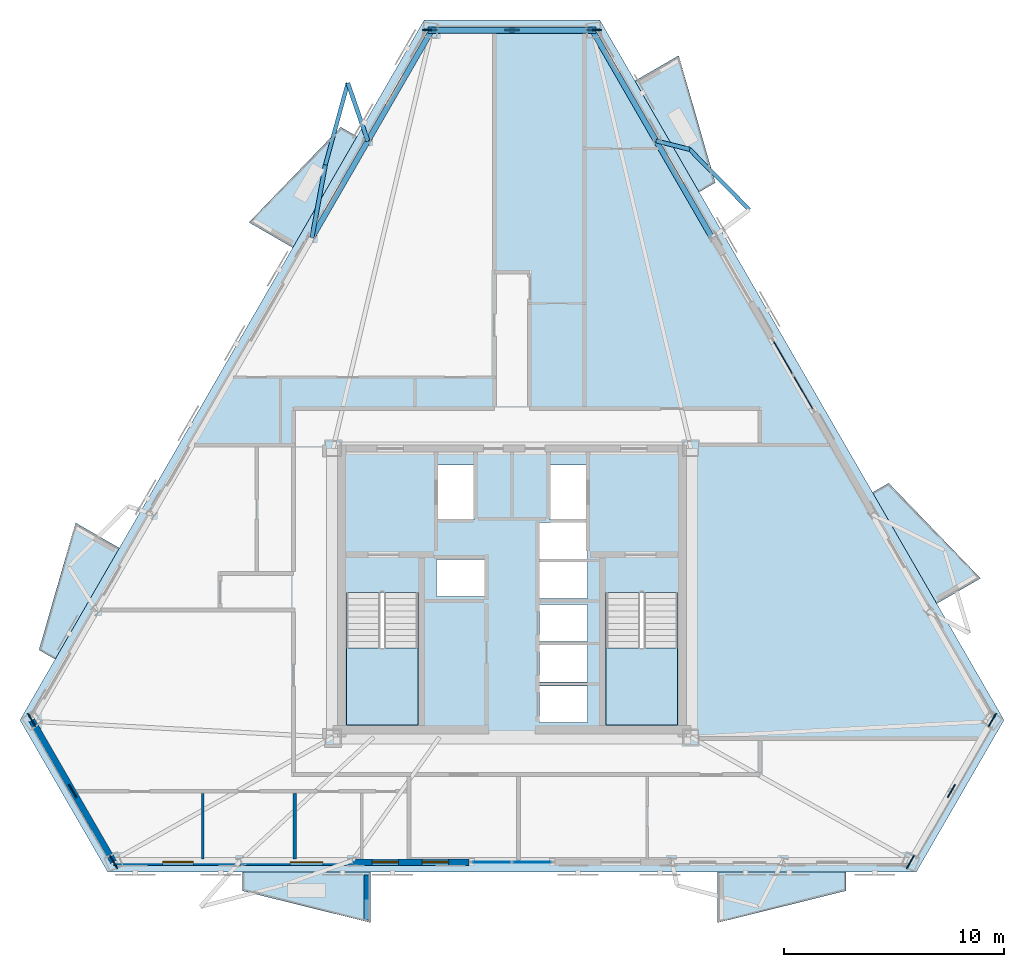
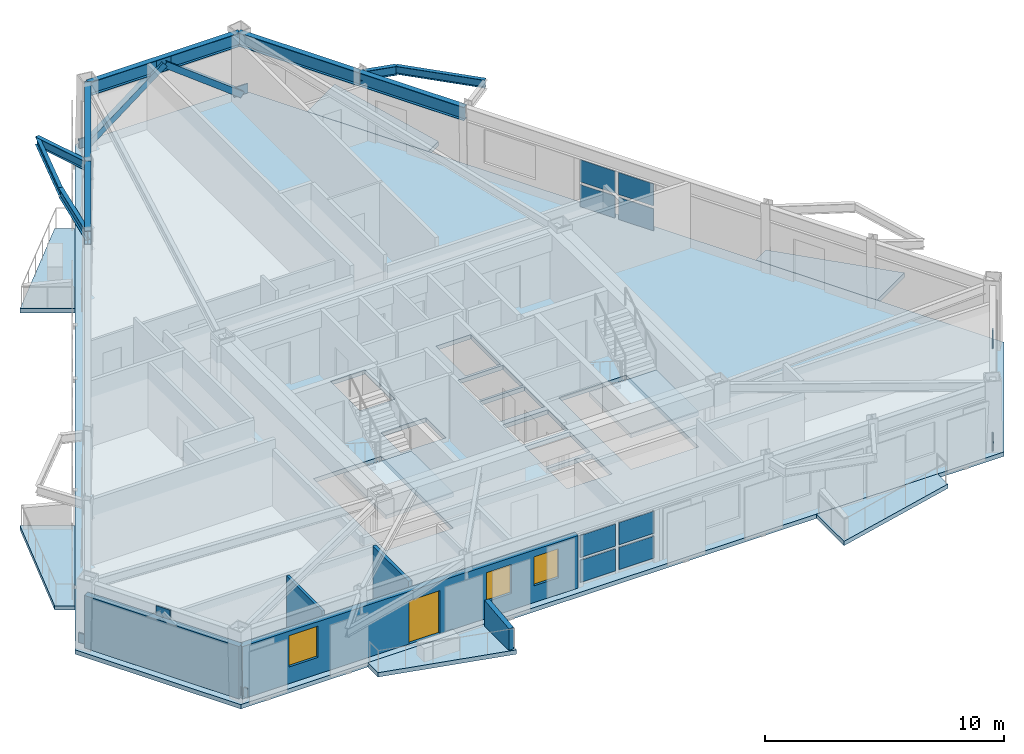
# One storey, part 5 of 13: 17 plates, 10 beams, 9 slabs, 5 walls, 3 windows, 2 members, 1 door, 4 openings, 4 elements without a shape of their own.
"""IFC4 building model written with IfcOpenShell, lengths in metres."""

from ifc_helpers import new_model, si_unit, direction, frame, frame_2d, origin, origin_2d, place, context, subcontext, project, spatial, polyline, rectangle, hollow_rectangle, i_section, outline, extrude, material, layer, layer_set, material_profile, profile_set, type_object, element, fill, aggregate, save


model = new_model("IFC4")

# Units and contexts
model_context = context("Model", 3, precision=1e-05, world=origin(), true_north=direction((0.0, 1.0)))
body_context = subcontext(model_context, "Body", "Model", "MODEL_VIEW")
ifc_project = project(units=[si_unit("LENGTHUNIT", "METRE"), si_unit("AREAUNIT", "SQUARE_METRE"), si_unit("VOLUMEUNIT", "CUBIC_METRE"), si_unit("PLANEANGLEUNIT", "RADIAN"), si_unit("MASSUNIT", "GRAM", prefix="KILO")], contexts=[model_context])

# Site, building, storey
site_placement = place(None, origin())
site = spatial("IfcSite", under=ifc_project, at=site_placement, CompositionType="ELEMENT")
building_placement = place(site_placement, origin())
building = spatial("IfcBuilding", under=site, at=building_placement, Name="Oramaril Tower", CompositionType="ELEMENT")
storey_placement = place(building_placement, frame((0.0, 0.0, 197.39990234375)))
storey = spatial("IfcBuildingStorey", under=building, at=storey_placement, Name="L52", CompositionType="ELEMENT", Elevation=197.39990234375)

# Beams
ifc_material_1 = material(Name="Steel ASTM A572 Gr 50", Category="steel")
ifc_material_profile_1 = material_profile(ifc_material_1, i_section(OverallWidth=0.19091796875, OverallDepth=0.45703125, WebThickness=0.009033203125, FlangeThickness=0.014404296875, at=origin_2d()), Name="W18X50")
ifc_profile_set_1 = profile_set([ifc_material_profile_1], Name="Steel ASTM A572 Gr 50")
beam_type_1 = type_object("IfcBeamType", Name="BT-BB1", PredefinedType="BEAM", material=ifc_profile_set_1)
beam_1_placement = place(storey_placement, frame((44.0673828125, 38.163330078125, 3.151611328125), z_axis=(0.969573720028, -0.244799512726, 0.0), x_axis=(0.244799512726, 0.969573720028, 0.0)))
element("IfcBeam", 1, at=beam_1_placement, inside=storey, type_object=beam_type_1, Name="L52 Balcony Column-Framed Cantilever 04.2", PredefinedType="BEAM", context=body_context, shape_type="SweptSolid", body=[
    extrude(i_section(OverallWidth=0.19091796875, OverallDepth=0.45703125, WebThickness=0.009033203125, FlangeThickness=0.014404296875, at=origin_2d()), origin(), (0.0, 0.0, 1.0), 1.57275390625),
])
beam_2_placement = place(storey_placement, frame((30.9326171875, 38.163330078125, 3.151611328125), z_axis=(-0.326470519179, 0.945207384708, 0.0), x_axis=(-0.945207384708, -0.326470519179, 0.0)))
element("IfcBeam", 2, at=beam_2_placement, inside=storey, type_object=beam_type_1, Name="L52 Balcony Column-Framed Cantilever 05.1", PredefinedType="BEAM", context=body_context, shape_type="SweptSolid", body=[
    extrude(i_section(OverallWidth=0.19091796875, OverallDepth=0.45703125, WebThickness=0.009033203125, FlangeThickness=0.014404296875, at=origin_2d()), origin(), (0.0, 0.0, 1.0), 2.790771484375),
])
beam_3_placement = place(storey_placement, frame((28.387939453125, 33.756103515625, 3.151611328125), z_axis=(0.181123690008, 0.983460324018, 0.0), x_axis=(-0.983460324018, 0.181123690008, 0.0)))
element("IfcBeam", 3, at=beam_3_placement, inside=storey, type_object=beam_type_1, Name="L52 Balcony Column-Framed Cantilever 05.2", PredefinedType="BEAM", context=body_context, shape_type="SweptSolid", body=[
    extrude(i_section(OverallWidth=0.19091796875, OverallDepth=0.45703125, WebThickness=0.009033203125, FlangeThickness=0.014404296875, at=origin_2d()), origin(), (0.0, 0.0, 1.0), 3.368408203125),
])
ifc_material_2 = material(Name="Steel ASTM A572 Gr 50", Category="steel")
ifc_material_profile_2 = material_profile(ifc_material_2, i_section(OverallWidth=0.177978515625, OverallDepth=0.404052734375, WebThickness=0.007568359375, FlangeThickness=0.010986328125, at=origin_2d()), Name="W16X36")
ifc_profile_set_2 = profile_set([ifc_material_profile_2], Name="Steel ASTM A572 Gr 50")
beam_type_2 = type_object("IfcBeamType", Name="BT-SB1", PredefinedType="BEAM", material=ifc_profile_set_2)
for number, where, z_axis, x_axis, name in (
    (4, (48.31298828125, 35.02587890625, 3.177978515625), (-0.702994511648, 0.71119527318, 0.0), (-0.71119527318, -0.702994511648, 0.0), "L52 Balcony Edge Tie Beam 04"),
    (5, (30.021484375, 40.80126953125, 3.177978515625), (-0.264440915482, -0.964401888332, 0.0), (0.964401888332, -0.264440915482, 0.0), "L52 Balcony Edge Tie Beam 05"),
):
    element("IfcBeam", number, at=place(storey_placement, frame(where, z_axis=z_axis, x_axis=x_axis)), inside=storey, type_object=beam_type_2, Name=name, PredefinedType="BEAM", context=body_context, shape_type="SweptSolid", body=[
        extrude(i_section(OverallWidth=0.177978515625, OverallDepth=0.404052734375, WebThickness=0.007568359375, FlangeThickness=0.010986328125, at=origin_2d()), origin(), (0.0, 0.0, 1.0), 3.8701171875),
    ])
ifc_material_3 = material(Name="Steel ASTM A572 Gr 50", Category="steel")
ifc_material_profile_3 = material_profile(ifc_material_3, i_section(OverallWidth=0.257080078125, OverallDepth=0.693115234375, WebThickness=0.014404296875, FlangeThickness=0.023681640625, at=origin_2d()), Name="W27X114")
ifc_profile_set_3 = profile_set([ifc_material_profile_3], Name="Steel ASTM A572 Gr 50")
beam_type_3 = type_object("IfcBeamType", Name="BT-SP4", PredefinedType="SPANDREL", material=ifc_profile_set_3)
beam_4_placement = place(storey_placement, frame((46.612060546875, 33.756103515625, 3.03369140625), z_axis=(-0.500024212118, 0.86601142446, 0.0), x_axis=(-0.86601142446, -0.500024212118, 0.0)))
element("IfcBeam", 6, at=beam_4_placement, inside=storey, type_object=beam_type_3, Name="L52 Perimeter Spandrel 11", PredefinedType="SPANDREL", context=body_context, shape_type="SweptSolid", body=[
    extrude(i_section(OverallWidth=0.257080078125, OverallDepth=0.693115234375, WebThickness=0.014404296875, FlangeThickness=0.023681640625, at=origin_2d()), origin(), (0.0, 0.0, 1.0), 5.089111328125),
])
beam_5_placement = place(storey_placement, frame((44.0673828125, 38.163330078125, 3.03369140625), z_axis=(-0.50000343918, 0.866023418164, 0.0), x_axis=(-0.866023418164, -0.50000343918, 0.0)))
element("IfcBeam", 7, at=beam_5_placement, inside=storey, type_object=beam_type_3, Name="L52 Perimeter Spandrel 12", PredefinedType="SPANDREL", context=body_context, shape_type="SweptSolid", body=[
    extrude(i_section(OverallWidth=0.257080078125, OverallDepth=0.693115234375, WebThickness=0.014404296875, FlangeThickness=0.023681640625, at=origin_2d()), origin(), (0.0, 0.0, 1.0), 5.81640625),
])
beam_6_placement = place(storey_placement, frame((41.1591796875, 43.200439453125, 3.03369140625), z_axis=(-1.0, 0.0, 0.0), x_axis=(0.0, -1.0, 0.0)))
element("IfcBeam", 8, at=beam_6_placement, inside=storey, type_object=beam_type_3, Name="L52 Perimeter Spandrel 13", PredefinedType="SPANDREL", context=body_context, shape_type="SweptSolid", body=[
    extrude(i_section(OverallWidth=0.257080078125, OverallDepth=0.693115234375, WebThickness=0.014404296875, FlangeThickness=0.023681640625, at=origin_2d()), origin(), (0.0, 0.0, 1.0), 7.318359375),
])
beam_7_placement = place(storey_placement, frame((33.8408203125, 43.200439453125, 3.03369140625), z_axis=(-0.50000343918, -0.866023418164, 0.0), x_axis=(0.866023418164, -0.50000343918, 0.0)))
element("IfcBeam", 9, at=beam_7_placement, inside=storey, type_object=beam_type_3, Name="L52 Perimeter Spandrel 14", PredefinedType="SPANDREL", context=body_context, shape_type="SweptSolid", body=[
    extrude(i_section(OverallWidth=0.257080078125, OverallDepth=0.693115234375, WebThickness=0.014404296875, FlangeThickness=0.023681640625, at=origin_2d()), origin(), (0.0, 0.0, 1.0), 5.81640625),
])
beam_8_placement = place(storey_placement, frame((30.9326171875, 38.163330078125, 3.03369140625), z_axis=(-0.500024212118, -0.86601142446, 0.0), x_axis=(0.86601142446, -0.500024212118, 0.0)))
element("IfcBeam", 10, at=beam_8_placement, inside=storey, type_object=beam_type_3, Name="L52 Perimeter Spandrel 15", PredefinedType="SPANDREL", context=body_context, shape_type="SweptSolid", body=[
    extrude(i_section(OverallWidth=0.257080078125, OverallDepth=0.693115234375, WebThickness=0.014404296875, FlangeThickness=0.023681640625, at=origin_2d()), origin(), (0.0, 0.0, 1.0), 5.089111328125),
])

# Members
ifc_material_4 = material(Name="Steel ASTM A572 Gr 50", Category="steel")
ifc_material_profile_4 = material_profile(ifc_material_4, hollow_rectangle(XDim=0.300048828125, YDim=0.300048828125, WallThickness=0.01611328125, at=origin_2d()), Name="HSS300X300X16")
ifc_profile_set_4 = profile_set([ifc_material_profile_4], Name="Steel ASTM A572 Gr 50")
member_type = type_object("IfcMemberType", Name="MT-KB2", PredefinedType="BRACE", material=ifc_profile_set_4)
for number, where, z_axis, x_axis, name in (
    (11, (41.23388671875, 43.2099609375, 0.18017578125), (-0.794543595543, 0.0, 0.607207110286), (0.0, -1.0, 0.0), "L52 Perimeter Chevron Brace KB-3A"),
    (12, (33.76611328125, 43.2099609375, 0.18017578125), (0.794543595543, 0.0, 0.607207110286), (0.0, 1.0, 0.0), "L52 Perimeter Chevron Brace KB-3B"),
):
    element("IfcMember", number, at=place(storey_placement, frame(where, z_axis=z_axis, x_axis=x_axis)), inside=storey, type_object=member_type, Name=name, PredefinedType="BRACE", context=body_context, shape_type="SweptSolid", body=[
        extrude(hollow_rectangle(XDim=0.300048828125, YDim=0.300048828125, WallThickness=0.01611328125, at=origin_2d()), origin(), (0.0, 0.0, 1.0), 4.699462890625),
    ])

# Curtain wall, plates
ifc_material_5 = material(Name="Anodised Aluminium 6063-T6", Category="aluminium")
ifc_layer_1 = layer(ifc_material_5, 0.179931640625)
ifc_layer_set_1 = layer_set([ifc_layer_1], Name="CWT-SYS4")
curtain_wall_type = type_object("IfcCurtainWallType", Name="CWT-SYS4", PredefinedType="NOTDEFINED", material=ifc_layer_set_1)
curtain_wall_1_placement = place(storey_placement, origin())
curtain_wall_1 = element("IfcCurtainWall", 13, at=curtain_wall_1_placement, inside=storey, type_object=curtain_wall_type, Name="L52 Unitised Curtain Wall CW-4", PredefinedType="NOTDEFINED")
ifc_material_6 = material(Name="Coastal Low-E Insulated Glass", Category="glass")
ifc_layer_2 = layer(ifc_material_6, 0.0400390625)
ifc_layer_set_2 = layer_set([ifc_layer_2], Name="PLT-CWP4")
plate_type_1 = type_object("IfcPlateType", Name="PLT-CWP4", PredefinedType="CURTAIN_PANEL", material=ifc_layer_set_2)
plate_1_placement = place(storey_placement, frame((36.570068359375, 5.3115234375, 0.14013671875), z_axis=(0.0, 0.0, 1.0), x_axis=(1.0, 0.0, 0.0)))
plate_1 = element("IfcPlate", 14, at=plate_1_placement, type_object=plate_type_1, Name="CW-4 panel 1.1", PredefinedType="CURTAIN_PANEL", context=body_context, shape_type="SweptSolid", body=[
    extrude(rectangle(XDim=1.679931640625, YDim=0.0400390625, at=origin_2d()), origin(), (0.0, 0.0, 1.0), 1.12841796875),
])
plate_2_placement = place(storey_placement, frame((36.570068359375, 5.3115234375, 1.40869140625), z_axis=(0.0, 0.0, 1.0), x_axis=(1.0, 0.0, 0.0)))
plate_2 = element("IfcPlate", 15, at=plate_2_placement, type_object=plate_type_1, Name="CW-4 panel 1.2", PredefinedType="CURTAIN_PANEL", context=body_context, shape_type="SweptSolid", body=[
    extrude(rectangle(XDim=1.679931640625, YDim=0.0400390625, at=origin_2d()), origin(), (0.0, 0.0, 1.0), 1.12841796875),
])
plate_3_placement = place(storey_placement, frame((38.429931640625, 5.3115234375, 0.14013671875), z_axis=(0.0, 0.0, 1.0), x_axis=(1.0, 0.0, 0.0)))
plate_3 = element("IfcPlate", 16, at=plate_3_placement, type_object=plate_type_1, Name="CW-4 panel 2.1", PredefinedType="CURTAIN_PANEL", context=body_context, shape_type="SweptSolid", body=[
    extrude(rectangle(XDim=1.679931640625, YDim=0.0400390625, at=origin_2d()), origin(), (0.0, 0.0, 1.0), 1.12841796875),
])
plate_4_placement = place(storey_placement, frame((38.429931640625, 5.3115234375, 1.40869140625), z_axis=(0.0, 0.0, 1.0), x_axis=(1.0, 0.0, 0.0)))
plate_4 = element("IfcPlate", 17, at=plate_4_placement, type_object=plate_type_1, Name="CW-4 panel 2.2", PredefinedType="CURTAIN_PANEL", context=body_context, shape_type="SweptSolid", body=[
    extrude(rectangle(XDim=1.679931640625, YDim=0.0400390625, at=origin_2d()), origin(), (0.0, 0.0, 1.0), 1.12841796875),
])
aggregate(curtain_wall_1, [plate_1, plate_2, plate_3, plate_4])

curtain_wall_2_placement = place(storey_placement, origin())
curtain_wall_2 = element("IfcCurtainWall", 18, at=curtain_wall_2_placement, inside=storey, type_object=curtain_wall_type, Name="L52 Unitised Curtain Wall CW-4", PredefinedType="NOTDEFINED")
plate_5_placement = place(storey_placement, frame((50.772216796875, 26.68896484375, 0.14013671875), z_axis=(0.0, 0.0, 1.0), x_axis=(-0.499999897278, 0.866025463091, 0.0)))
plate_5 = element("IfcPlate", 19, at=plate_5_placement, type_object=plate_type_1, Name="CW-4 panel 1.1", PredefinedType="CURTAIN_PANEL", context=body_context, shape_type="SweptSolid", body=[
    extrude(rectangle(XDim=1.679931640625, YDim=0.0400390625, at=origin_2d()), origin(), (0.0, 0.0, 1.0), 1.12841796875),
])
plate_6_placement = place(storey_placement, frame((50.772216796875, 26.68896484375, 1.40869140625), z_axis=(0.0, 0.0, 1.0), x_axis=(-0.499999897278, 0.866025463091, 0.0)))
plate_6 = element("IfcPlate", 20, at=plate_6_placement, type_object=plate_type_1, Name="CW-4 panel 1.2", PredefinedType="CURTAIN_PANEL", context=body_context, shape_type="SweptSolid", body=[
    extrude(rectangle(XDim=1.679931640625, YDim=0.0400390625, at=origin_2d()), origin(), (0.0, 0.0, 1.0), 1.12841796875),
])
plate_7_placement = place(storey_placement, frame((49.84228515625, 28.299560546875, 0.14013671875), z_axis=(0.0, 0.0, 1.0), x_axis=(-0.499999897278, 0.866025463091, 0.0)))
plate_7 = element("IfcPlate", 21, at=plate_7_placement, type_object=plate_type_1, Name="CW-4 panel 2.1", PredefinedType="CURTAIN_PANEL", context=body_context, shape_type="SweptSolid", body=[
    extrude(rectangle(XDim=1.679931640625, YDim=0.0400390625, at=origin_2d()), origin(), (0.0, 0.0, 1.0), 1.12841796875),
])
plate_8_placement = place(storey_placement, frame((49.84228515625, 28.299560546875, 1.40869140625), z_axis=(0.0, 0.0, 1.0), x_axis=(-0.499999897278, 0.866025463091, 0.0)))
plate_8 = element("IfcPlate", 22, at=plate_8_placement, type_object=plate_type_1, Name="CW-4 panel 2.2", PredefinedType="CURTAIN_PANEL", context=body_context, shape_type="SweptSolid", body=[
    extrude(rectangle(XDim=1.679931640625, YDim=0.0400390625, at=origin_2d()), origin(), (0.0, 0.0, 1.0), 1.12841796875),
])
aggregate(curtain_wall_2, [plate_5, plate_6, plate_7, plate_8])

# Plates
ifc_material_7 = material(Name="Steel ASTM A572 Gr 50", Category="steel")
ifc_layer_3 = layer(ifc_material_7, 0.06005859375)
ifc_layer_set_3 = layer_set([ifc_layer_3], Name="PLT-G60")
plate_type_2 = type_object("IfcPlateType", Name="PLT-G60", PredefinedType="USERDEFINED", material=ifc_layer_set_3)
for number, where, z_axis, x_axis, name in (
    (23, (17.486328125, 8.545166015625, 2.793701171875), (0.0, 0.0, 1.0), (0.499995465495, -0.866028021766, 0.0), "L52 Chevron Brace Gusset Plate BN-1"),
    (24, (15.619384765625, 11.77880859375, 0.10009765625), (0.0, 0.0, 1.0), (0.499995465495, -0.866028021766, 0.0), "L52 Chevron Brace Gusset Plate BN-1"),
    (25, (19.353271484375, 5.3115234375, 0.10009765625), (0.0, 0.0, 1.0), (0.499995465495, -0.866028021766, 0.0), "L52 Chevron Brace Gusset Plate BN-1"),
    (26, (57.513671875, 8.545166015625, 2.793701171875), (0.0, 0.0, 1.0), (0.499995465495, 0.866028021766, 0.0), "L52 Chevron Brace Gusset Plate BN-1"),
    (27, (55.646728515625, 5.3115234375, 0.10009765625), (0.0, 0.0, 1.0), (0.499995465495, 0.866028021766, 0.0), "L52 Chevron Brace Gusset Plate BN-1"),
    (28, (59.380615234375, 11.77880859375, 0.10009765625), (0.0, 0.0, 1.0), (0.499995465495, 0.866028021766, 0.0), "L52 Chevron Brace Gusset Plate BN-1"),
    (29, (37.5, 43.2099609375, 2.793701171875), (0.0, 0.0, 1.0), (-1.0, 0.0, 0.0), "L52 Chevron Brace Gusset Plate BN-1"),
    (30, (41.23388671875, 43.2099609375, 0.10009765625), (0.0, 0.0, 1.0), (-1.0, 0.0, 0.0), "L52 Chevron Brace Gusset Plate BN-1"),
    (31, (33.76611328125, 43.2099609375, 0.10009765625), (0.0, 0.0, 1.0), (-1.0, 0.0, 0.0), "L52 Chevron Brace Gusset Plate BN-1"),
):
    element("IfcPlate", number, at=place(storey_placement, frame(where, z_axis=z_axis, x_axis=x_axis)), inside=storey, type_object=plate_type_2, Name=name, ObjectType="GUSSET", PredefinedType="USERDEFINED", context=body_context, shape_type="SweptSolid", body=[
        extrude(rectangle(XDim=0.679931640625, YDim=0.06005859375, at=origin_2d()), origin(), (0.0, 0.0, 1.0), 0.47998046875),
    ])

# Slabs
ifc_material_8 = material(Name="Concrete C40/50", Category="concrete")
ifc_layer_4 = layer(ifc_material_8, 0.199951171875)
ifc_layer_set_4 = layer_set([ifc_layer_4], Name="SLT-BAL20")
slab_type_1 = type_object("IfcSlabType", Name="SLT-BAL20", PredefinedType="FLOOR", material=ifc_layer_set_4)
slab_1_placement = place(storey_placement, frame((0.0, 0.0, -0.219970703125)))
element("IfcSlab", 32, at=slab_1_placement, inside=storey, type_object=slab_type_1, Name="L52 Cantilevered Balcony Slab L52-BAL-S2", PredefinedType="FLOOR", context=body_context, shape_type="SweptSolid", body=[
    extrude(outline(polyline([(46.8623046875, 4.853515625), (52.71240234375, 4.853515625), (52.71240234375, 4.00146484375), (46.8623046875, 2.551513671875), (46.8623046875, 4.853515625)])), origin(), (0.0, 0.0, 1.0), 0.219970703125),
])
slab_2_placement = place(storey_placement, frame((0.0, 0.0, -0.219970703125)))
element("IfcSlab", 33, at=slab_2_placement, inside=storey, type_object=slab_type_1, Name="L52 Cantilevered Balcony Slab L52-BAL-NE1", PredefinedType="FLOOR", context=body_context, shape_type="SweptSolid", body=[
    extrude(outline(polyline([(56.84765625, 17.08203125), (53.922607421875, 22.1484375), (54.660400390625, 22.574462890625), (58.84130859375, 18.233154296875), (56.84765625, 17.08203125)])), origin(), (0.0, 0.0, 1.0), 0.219970703125),
])
slab_3_placement = place(storey_placement, frame((0.0, 0.0, -0.219970703125)))
element("IfcSlab", 34, at=slab_3_placement, inside=storey, type_object=slab_type_1, Name="L52 Cantilevered Balcony Slab L52-BAL-NW2", PredefinedType="FLOOR", context=body_context, shape_type="SweptSolid", body=[
    extrude(outline(polyline([(19.614990234375, 19.615234375), (16.68994140625, 14.549072265625), (15.9521484375, 14.97509765625), (17.621337890625, 20.76611328125), (19.614990234375, 19.615234375)])), origin(), (0.0, 0.0, 1.0), 0.219970703125),
])
ifc_material_9 = material(Name="Concrete C50/60", Category="concrete")
ifc_layer_5 = layer(ifc_material_9, 0.219970703125)
ifc_layer_set_5 = layer_set([ifc_layer_5], Name="SLT-FLR22")
slab_type_2 = type_object("IfcSlabType", Name="SLT-FLR22", PredefinedType="FLOOR", material=ifc_layer_set_5)
slab_4_placement = place(storey_placement, frame((0.0, 0.0, -0.219970703125)))
element("IfcSlab", 35, at=slab_4_placement, inside=storey, type_object=slab_type_2, Name="L52 Structural Floor Slab", PredefinedType="FLOOR", context=body_context, shape_type="SweptSolid", body=[
    extrude(outline(polyline([(15.088134765625, 11.77880859375), (19.087646484375, 4.8515625), (55.912353515625, 4.8515625), (59.911865234375, 11.77880859375), (41.49951171875, 43.669921875), (33.50048828125, 43.669921875), (15.088134765625, 11.77880859375)]), holes=[polyline([(29.949951171875, 17.58935546875), (29.949951171875, 11.550048828125), (33.219970703125, 11.550048828125), (33.219970703125, 17.58935546875), (29.949951171875, 17.58935546875)]), polyline([(41.780029296875, 17.58935546875), (41.780029296875, 11.550048828125), (45.050048828125, 11.550048828125), (45.050048828125, 17.58935546875), (41.780029296875, 17.58935546875)]), polyline([(34.110107421875, 20.909912109375), (35.7900390625, 20.909912109375), (35.7900390625, 23.389892578125), (34.110107421875, 23.389892578125), (34.110107421875, 20.909912109375)]), polyline([(39.2099609375, 20.909912109375), (40.889892578125, 20.909912109375), (40.889892578125, 23.389892578125), (39.2099609375, 23.389892578125), (39.2099609375, 20.909912109375)]), polyline([(38.760009765625, 11.659912109375), (40.93994140625, 11.659912109375), (40.93994140625, 13.340087890625), (38.760009765625, 13.340087890625), (38.760009765625, 11.659912109375)]), polyline([(38.760009765625, 13.510009765625), (40.93994140625, 13.510009765625), (40.93994140625, 15.18994140625), (38.760009765625, 15.18994140625), (38.760009765625, 13.510009765625)]), polyline([(38.760009765625, 15.360107421875), (40.93994140625, 15.360107421875), (40.93994140625, 17.0400390625), (38.760009765625, 17.0400390625), (38.760009765625, 15.360107421875)]), polyline([(34.06005859375, 17.409912109375), (36.239990234375, 17.409912109375), (36.239990234375, 19.090087890625), (34.06005859375, 19.090087890625), (34.06005859375, 17.409912109375)]), polyline([(38.760009765625, 17.31005859375), (40.93994140625, 17.31005859375), (40.93994140625, 18.989990234375), (38.760009765625, 18.989990234375), (38.760009765625, 17.31005859375)]), polyline([(38.760009765625, 19.110107421875), (40.93994140625, 19.110107421875), (40.93994140625, 20.7900390625), (38.760009765625, 20.7900390625), (38.760009765625, 19.110107421875)])]), origin(), (0.0, 0.0, 1.0), 0.219970703125),
])

# Stair, slab
ifc_material_10 = material(Name="Concrete C50/60", Category="concrete")
stair_type = type_object("IfcStairType", Name="STT-DG-3600", PredefinedType="HALF_TURN_STAIR", material=ifc_material_10)
stair_1_placement = place(storey_placement, origin())
stair_1 = element("IfcStair", 36, at=stair_1_placement, inside=storey, type_object=stair_type, Name="L52 Protected PFP Exit Stair ST-1", PredefinedType="HALF_TURN_STAIR")
ifc_material_11 = material(Name="Concrete C50/60", Category="concrete")
ifc_layer_6 = layer(ifc_material_11, 0.199951171875)
ifc_layer_set_6 = layer_set([ifc_layer_6], Name="SLT-LND20")
slab_type_3 = type_object("IfcSlabType", Name="SLT-LND20", PredefinedType="LANDING", material=ifc_layer_set_6)
slab_5_placement = place(storey_placement, frame((0.0, 0.0, 1.60009765625)))
slab_5 = element("IfcSlab", 37, at=slab_5_placement, type_object=slab_type_3, Name="ST-1 landing 1", PredefinedType="LANDING", context=body_context, shape_type="SweptSolid", body=[
    extrude(outline(polyline([(29.949951171875, 15.070068359375), (29.949951171875, 11.550048828125), (33.219970703125, 11.550048828125), (33.219970703125, 15.070068359375), (29.949951171875, 15.070068359375)])), origin(), (0.0, 0.0, 1.0), 0.199951171875),
])
aggregate(stair_1, [slab_5])

stair_2_placement = place(storey_placement, origin())
stair_2 = element("IfcStair", 38, at=stair_2_placement, inside=storey, type_object=stair_type, Name="L52 Protected PFP Exit Stair ST-2", PredefinedType="HALF_TURN_STAIR")
slab_6_placement = place(storey_placement, frame((0.0, 0.0, 1.60009765625)))
slab_6 = element("IfcSlab", 39, at=slab_6_placement, type_object=slab_type_3, Name="ST-2 landing 1", PredefinedType="LANDING", context=body_context, shape_type="SweptSolid", body=[
    extrude(outline(polyline([(41.780029296875, 15.070068359375), (41.780029296875, 11.550048828125), (45.050048828125, 11.550048828125), (45.050048828125, 15.070068359375), (41.780029296875, 15.070068359375)])), origin(), (0.0, 0.0, 1.0), 0.199951171875),
])
aggregate(stair_2, [slab_6])

# Slabs
ifc_material_12 = material(Name="Concrete C40/50", Category="concrete")
ifc_layer_7 = layer(ifc_material_12, 0.18994140625)
ifc_layer_set_7 = layer_set([ifc_layer_7], Name="SLT-PLN19")
slab_type_4 = type_object("IfcSlabType", Name="SLT-PLN19", PredefinedType="FLOOR", material=ifc_layer_set_7)
slab_7_placement = place(storey_placement, frame((0.0, 0.0, -0.219970703125)))
element("IfcSlab", 40, at=slab_7_placement, inside=storey, type_object=slab_type_4, Name="L52 Tree Planter Balcony Slab L52-BAL-S1", PredefinedType="FLOOR", context=body_context, shape_type="SweptSolid", body=[
    extrude(outline(polyline([(25.212646484375, 4.853515625), (31.0625, 4.853515625), (31.0625, 2.551513671875), (25.212646484375, 4.00146484375), (25.212646484375, 4.853515625)])), origin(), (0.0, 0.0, 1.0), 0.219970703125),
])
slab_8_placement = place(storey_placement, frame((0.0, 0.0, -0.219970703125)))
element("IfcSlab", 41, at=slab_8_placement, inside=storey, type_object=slab_type_4, Name="L52 Tree Planter Balcony Slab L52-BAL-NE2", PredefinedType="FLOOR", context=body_context, shape_type="SweptSolid", body=[
    extrude(outline(polyline([(46.022705078125, 35.831298828125), (43.09765625, 40.897705078125), (45.09130859375, 42.048583984375), (46.760498046875, 36.25732421875), (46.022705078125, 35.831298828125)])), origin(), (0.0, 0.0, 1.0), 0.219970703125),
])
slab_9_placement = place(storey_placement, frame((0.0, 0.0, -0.219970703125)))
element("IfcSlab", 42, at=slab_9_placement, inside=storey, type_object=slab_type_4, Name="L52 Tree Planter Balcony Slab L52-BAL-NW1", PredefinedType="FLOOR", context=body_context, shape_type="SweptSolid", body=[
    extrude(outline(polyline([(30.439697265625, 38.364501953125), (27.514892578125, 33.298095703125), (25.521240234375, 34.44921875), (29.701904296875, 38.79052734375), (30.439697265625, 38.364501953125)])), origin(), (0.0, 0.0, 1.0), 0.219970703125),
])

# Wall
ifc_material_13 = material(Name="Warm Cream Limestone", Category="masonry")
ifc_layer_8 = layer(ifc_material_13, 0.2900390625)
ifc_layer_set_8 = layer_set([ifc_layer_8], Name="WT-EXT29")
wall_type_1 = type_object("IfcWallType", Name="WT-EXT29", PredefinedType="SOLIDWALL", material=ifc_layer_set_8)
wall_1_placement = place(storey_placement, frame((15.619384765625, 11.77880859375, 0.0), z_axis=(0.0, 0.0, 1.0), x_axis=(0.499999788377, -0.866025525965, 0.0)))
element("IfcWall", 43, at=wall_1_placement, inside=storey, type_object=wall_type_1, Name="L52 Tower Limestone Facade Wall 1M", PredefinedType="SOLIDWALL", context=body_context, shape_type="SweptSolid", body=[
    extrude(rectangle(XDim=7.4677734375, YDim=0.2900390625, at=frame_2d((3.73388671875, 0.0))), origin(), (0.0, 0.0, 1.0), 2.677001953125),
])

# Wall, openings, door, windows
wall_2_placement = place(storey_placement, frame((19.353271484375, 5.3115234375, 0.0), z_axis=(0.0, 0.0, 1.0), x_axis=(1.0, 0.0, 0.0)))
wall_2 = element("IfcWall", 44, at=wall_2_placement, inside=storey, type_object=wall_type_1, Name="L52 Tower Limestone Facade Wall 2L", PredefinedType="SOLIDWALL", context=body_context, shape_type="SweptSolid", body=[
    extrude(rectangle(XDim=16.19677734375, YDim=0.2900390625, at=frame_2d((8.098388671875, 0.0))), origin(), (0.0, 0.0, 1.0), 2.677001953125),
])
opening_1_placement = place(wall_2_placement, frame((8.034423828125, 0.0, 0.0)))
opening_1 = element("IfcOpeningElement", 45, at=opening_1_placement, cuts=wall_2, Name="Opening D-L52-BAL-S1", PredefinedType="OPENING", context=body_context, shape_type="SweptSolid", body=[
    extrude(rectangle(XDim=1.5, YDim=2.199951171875, at=frame_2d((0.75, 1.10009765625))), frame((0.0, 0.14501953125, 0.0), z_axis=(0.0, -1.0, 0.0), x_axis=(1.0, 0.0, 0.0)), (0.0, 0.0, 1.0), 0.2900390625),
])
opening_2_placement = place(wall_2_placement, frame((14.056396484375, 0.0, 0.85009765625)))
opening_2 = element("IfcOpeningElement", 46, at=opening_2_placement, cuts=wall_2, Name="Opening WN-09", PredefinedType="OPENING", context=body_context, shape_type="SweptSolid", body=[
    extrude(rectangle(XDim=1.199951171875, YDim=1.47998046875, at=frame_2d((0.60009765625, 0.739990234375))), frame((0.0, 0.14501953125, 0.0), z_axis=(0.0, -1.0, 0.0), x_axis=(1.0, 0.0, 0.0)), (0.0, 0.0, 1.0), 0.2900390625),
])
opening_3_placement = place(wall_2_placement, frame((2.23388671875, 0.0, 0.85009765625)))
opening_3 = element("IfcOpeningElement", 47, at=opening_3_placement, cuts=wall_2, Name="Opening WN-08", PredefinedType="OPENING", context=body_context, shape_type="SweptSolid", body=[
    extrude(rectangle(XDim=1.39990234375, YDim=1.60009765625, at=frame_2d((0.699951171875, 0.800048828125))), frame((0.0, 0.14501953125, 0.0), z_axis=(0.0, -1.0, 0.0), x_axis=(1.0, 0.0, 0.0)), (0.0, 0.0, 1.0), 0.2900390625),
])
opening_4_placement = place(wall_2_placement, frame((11.774658203125, 0.0, 0.85009765625)))
opening_4 = element("IfcOpeningElement", 48, at=opening_4_placement, cuts=wall_2, Name="Opening WN-09", PredefinedType="OPENING", context=body_context, shape_type="SweptSolid", body=[
    extrude(rectangle(XDim=1.199951171875, YDim=1.47998046875, at=frame_2d((0.60009765625, 0.739990234375))), frame((0.0, 0.14501953125, 0.0), z_axis=(0.0, -1.0, 0.0), x_axis=(1.0, 0.0, 0.0)), (0.0, 0.0, 1.0), 0.2900390625),
])
ifc_material_14 = material(Name="Anodised Aluminium 6063-T6", Category="aluminium")
door_type = type_object("IfcDoorType", Name="DT-BAL", OperationType="NOTDEFINED", PredefinedType="DOOR", material=ifc_material_14)
door_placement = place(opening_1_placement, origin())
door = element("IfcDoor", 49, at=door_placement, inside=storey, type_object=door_type, Name="L52 Balcony Glazed Door L52-BAL-S1", OperationType="SINGLE_SWING_LEFT", OverallHeight=2.199951171875, OverallWidth=1.5, PredefinedType="DOOR", context=body_context, shape_type="SweptSolid", body=[
    extrude(rectangle(XDim=1.5, YDim=2.199951171875, at=frame_2d((0.75, 1.10009765625))), frame((0.0, 0.02490234375, 0.0), z_axis=(0.0, -1.0, 0.0), x_axis=(1.0, 0.0, 0.0)), (0.0, 0.0, 1.0), 0.050048828125),
])
fill(opening_1, door)
ifc_material_15 = material(Name="Coastal Low-E Insulated Glass", Category="glass")
window_type_1 = type_object("IfcWindowType", Name="WNT-08", PartitioningType="SINGLE_PANEL", PredefinedType="WINDOW", material=ifc_material_15)
window_1_placement = place(opening_3_placement, origin())
window_1 = element("IfcWindow", 50, at=window_1_placement, inside=storey, type_object=window_type_1, Name="L52 Chicago Bay Window WN-08", OverallHeight=1.60009765625, OverallWidth=1.39990234375, PartitioningType="SINGLE_PANEL", PredefinedType="WINDOW", context=body_context, shape_type="SweptSolid", body=[
    extrude(rectangle(XDim=1.39990234375, YDim=1.60009765625, at=frame_2d((0.699951171875, 0.800048828125))), frame((0.0, 0.030029296875, 0.0), z_axis=(0.0, -1.0, 0.0), x_axis=(1.0, 0.0, 0.0)), (0.0, 0.0, 1.0), 0.06005859375),
])
fill(opening_3, window_1)
ifc_material_16 = material(Name="Coastal Low-E Insulated Glass", Category="glass")
window_type_2 = type_object("IfcWindowType", Name="WNT-09", PartitioningType="SINGLE_PANEL", PredefinedType="WINDOW", material=ifc_material_16)
window_2_placement = place(opening_2_placement, origin())
window_2 = element("IfcWindow", 51, at=window_2_placement, inside=storey, type_object=window_type_2, Name="L52 Chicago Bay Window WN-09", OverallHeight=1.47998046875, OverallWidth=1.199951171875, PartitioningType="SINGLE_PANEL", PredefinedType="WINDOW", context=body_context, shape_type="SweptSolid", body=[
    extrude(rectangle(XDim=1.199951171875, YDim=1.47998046875, at=frame_2d((0.60009765625, 0.739990234375))), frame((0.0, 0.030029296875, 0.0), z_axis=(0.0, -1.0, 0.0), x_axis=(1.0, 0.0, 0.0)), (0.0, 0.0, 1.0), 0.06005859375),
])
fill(opening_2, window_2)
window_3_placement = place(opening_4_placement, origin())
window_3 = element("IfcWindow", 52, at=window_3_placement, inside=storey, type_object=window_type_2, Name="L52 Chicago Bay Window WN-09", OverallHeight=1.47998046875, OverallWidth=1.199951171875, PartitioningType="SINGLE_PANEL", PredefinedType="WINDOW", context=body_context, shape_type="SweptSolid", body=[
    extrude(rectangle(XDim=1.199951171875, YDim=1.47998046875, at=frame_2d((0.60009765625, 0.739990234375))), frame((0.0, 0.030029296875, 0.0), z_axis=(0.0, -1.0, 0.0), x_axis=(1.0, 0.0, 0.0)), (0.0, 0.0, 1.0), 0.06005859375),
])
fill(opening_4, window_3)

# Walls
ifc_material_17 = material(Name="Concrete C40/50", Category="concrete")
ifc_layer_9 = layer(ifc_material_17, 0.22998046875)
ifc_layer_set_9 = layer_set([ifc_layer_9], Name="WT-PRP23")
wall_type_2 = type_object("IfcWallType", Name="WT-PRP23", PredefinedType="PARAPET", material=ifc_layer_set_9)
wall_3_placement = place(storey_placement, frame((30.882568359375, 4.71337890625, 0.0), z_axis=(0.0, 0.0, 1.0), x_axis=(0.0, -1.0, 0.0)))
element("IfcWall", 53, at=wall_3_placement, inside=storey, type_object=wall_type_2, Name="L52 Trapezoidal Balcony Frame Cheek L52-BAL-S1-R", PredefinedType="PARAPET", context=body_context, shape_type="SweptSolid", body=[
    extrude(outline(polyline([(0.0, 0.0), (2.0419921875, 0.0), (2.0419921875, 1.10009765625), (0.0, 1.320068359375), (0.0, 0.0)])), frame((0.0, 0.114990234375, 0.0), z_axis=(0.0, -1.0, 0.0), x_axis=(1.0, 0.0, 0.0)), (0.0, 0.0, 1.0), 0.22998046875),
])
ifc_material_18 = material(Name="Acoustic Gypsum Board Partition")
ifc_layer_10 = layer(ifc_material_18, 0.1201171875)
ifc_layer_set_10 = layer_set([ifc_layer_10], Name="WT-PT12")
wall_type_3 = type_object("IfcWallType", Name="WT-PT12", PredefinedType="PARTITIONING", material=ifc_layer_set_10)
wall_4_placement = place(storey_placement, frame((23.419921875, 5.46044921875, 0.0), z_axis=(0.0, 0.0, 1.0), x_axis=(0.0, 1.0, 0.0)))
element("IfcWall", 54, at=wall_4_placement, inside=storey, type_object=wall_type_3, Name="L52 Interior Partition PT-12", PredefinedType="PARTITIONING", context=body_context, shape_type="SweptSolid", body=[
    extrude(rectangle(XDim=2.985595703125, YDim=0.1201171875, at=frame_2d((1.49267578125, 0.0))), origin(), (0.0, 0.0, 1.0), 2.9130859375),
])
ifc_material_19 = material(Name="Acoustic Gypsum Board Partition")
ifc_layer_11 = layer(ifc_material_19, 0.159912109375)
ifc_layer_set_11 = layer_set([ifc_layer_11], Name="WT-PT16")
wall_type_4 = type_object("IfcWallType", Name="WT-PT16", PredefinedType="PARTITIONING", material=ifc_layer_set_11)
wall_5_placement = place(storey_placement, frame((27.610107421875, 5.46044921875, 0.0), z_axis=(0.0, 0.0, 1.0), x_axis=(0.0, 1.0, 0.0)))
element("IfcWall", 55, at=wall_5_placement, inside=storey, type_object=wall_type_4, Name="L52 Interior Partition PT-16", PredefinedType="PARTITIONING", context=body_context, shape_type="SweptSolid", body=[
    extrude(rectangle(XDim=2.985595703125, YDim=0.159912109375, at=frame_2d((1.49267578125, 0.0))), origin(), (0.0, 0.0, 1.0), 2.966064453125),
])

save(model, "model.ifc")
